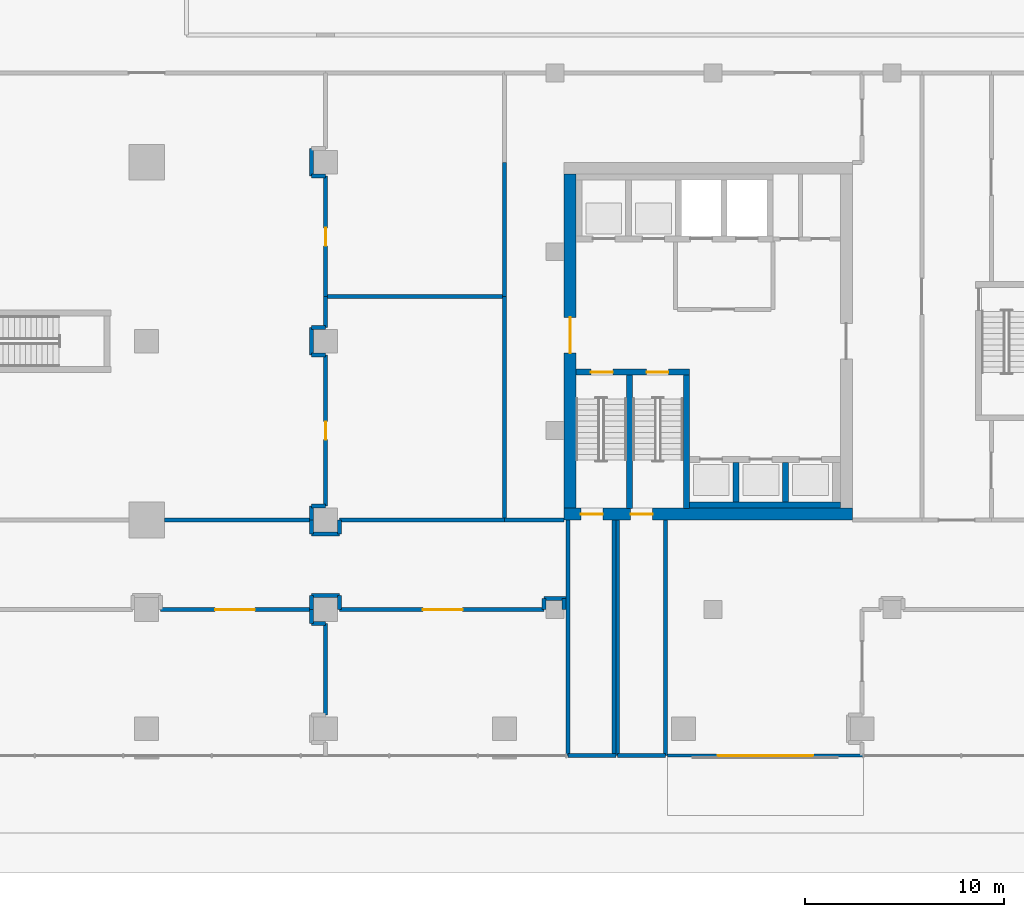
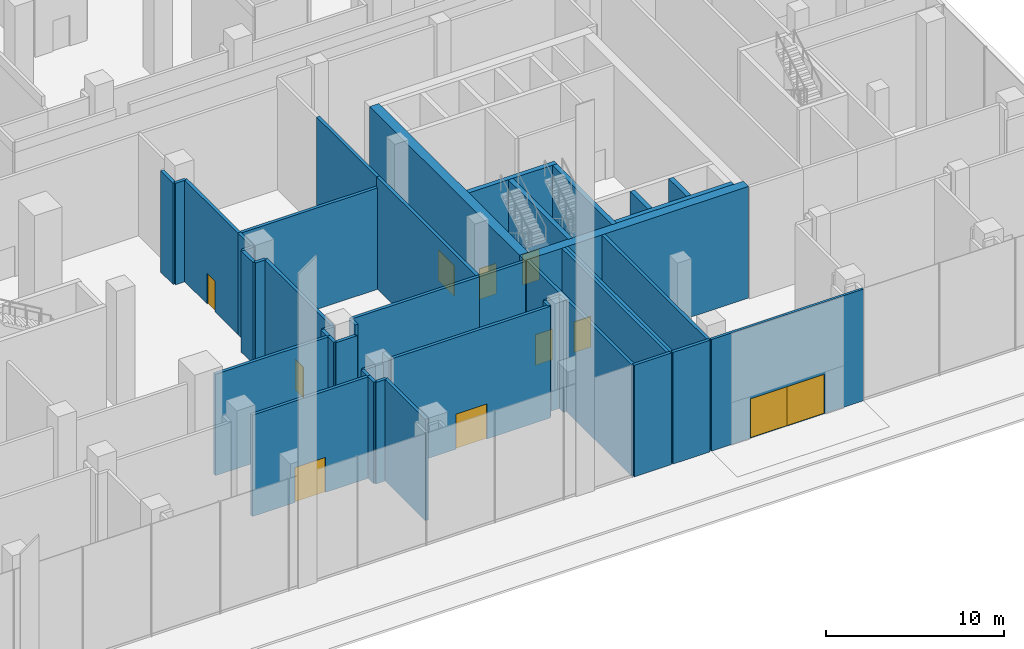
# One storey, part 21 of 42: 45 walls, 11 doors, 11 openings.
"""IFC4 building model written with IfcOpenShell, lengths in metres."""

from ifc_helpers import new_model, si_unit, direction, frame, frame_2d, origin, place, context, subcontext, project, spatial, rectangle, extrude, material, layer, layer_set, type_object, element, fill, save


model = new_model("IFC4")

# Units and contexts
model_context = context("Model", 3, precision=1e-05, world=origin(), true_north=direction((0.0, 1.0)))
body_context = subcontext(model_context, "Body", "Model", "MODEL_VIEW")
ifc_project = project(units=[si_unit("LENGTHUNIT", "METRE"), si_unit("AREAUNIT", "SQUARE_METRE"), si_unit("VOLUMEUNIT", "CUBIC_METRE"), si_unit("PLANEANGLEUNIT", "RADIAN"), si_unit("MASSUNIT", "GRAM", prefix="KILO")], contexts=[model_context])

# Site, building, storey
site_placement = place(None, origin())
site = spatial("IfcSite", under=ifc_project, at=site_placement, CompositionType="ELEMENT")
building_placement = place(site_placement, origin())
building = spatial("IfcBuilding", under=site, at=building_placement, Name="Plateau Cross Towers", CompositionType="ELEMENT")
storey_placement = place(building_placement, origin())
storey = spatial("IfcBuildingStorey", under=building, at=storey_placement, Name="L00", CompositionType="ELEMENT", Elevation=0.0)

# Walls
ifc_material_1 = material(Name="Concrete block, plastered both sides", Category="concrete")
ifc_layer_1 = layer(ifc_material_1, 0.199951171875)
ifc_layer_set_1 = layer_set([ifc_layer_1], Name="Concrete block, plastered both sides")
wall_type_1 = type_object("IfcWallType", Name="Core partition 200", PredefinedType="PARTITIONING", material=ifc_layer_set_1)
for number, where, z_axis, x_axis, name in (
    (1, (75.199951171875, -11.85009765625, 0.0), (0.0, 0.0, 1.0), (0.0, 1.0, 0.0), "Core partition"),
    (2, (77.5, -11.85009765625, 0.0), (0.0, 0.0, 1.0), (0.0, 1.0, 0.0), "Core partition"),
):
    element("IfcWall", number, at=place(storey_placement, frame(where, z_axis=z_axis, x_axis=x_axis)), inside=storey, type_object=wall_type_1, Name=name, PredefinedType="PARTITIONING", context=body_context, shape_type="SweptSolid", body=[
        extrude(rectangle(XDim=11.85009765625, YDim=0.199951171875, at=frame_2d((5.925048828125, 0.0))), origin(), (0.0, 0.0, 1.0), 7.64990234375),
    ])
wall_1_placement = place(storey_placement, frame((75.199951171875, -11.85009765625, 0.0), z_axis=(0.0, 0.0, 1.0), x_axis=(1.0, 0.0, 0.0)))
element("IfcWall", 3, at=wall_1_placement, inside=storey, type_object=wall_type_1, Name="Core partition", PredefinedType="PARTITIONING", context=body_context, shape_type="SweptSolid", body=[
    extrude(rectangle(XDim=2.400146484375, YDim=0.199951171875, at=frame_2d((1.2001953125, 0.0))), origin(), (0.0, 0.0, 1.0), 7.64990234375),
])
for number, where, z_axis, x_axis, name in (
    (4, (77.699951171875, -11.85009765625, 0.0), (0.0, 0.0, 1.0), (0.0, 1.0, 0.0), "Core partition"),
    (5, (80.10009765625, -11.85009765625, 0.0), (0.0, 0.0, 1.0), (0.0, 1.0, 0.0), "Core partition"),
):
    element("IfcWall", number, at=place(storey_placement, frame(where, z_axis=z_axis, x_axis=x_axis)), inside=storey, type_object=wall_type_1, Name=name, PredefinedType="PARTITIONING", context=body_context, shape_type="SweptSolid", body=[
        extrude(rectangle(XDim=11.85009765625, YDim=0.199951171875, at=frame_2d((5.925048828125, 0.0))), origin(), (0.0, 0.0, 1.0), 7.64990234375),
    ])
wall_2_placement = place(storey_placement, frame((77.699951171875, -11.85009765625, 0.0), z_axis=(0.0, 0.0, 1.0), x_axis=(1.0, 0.0, 0.0)))
element("IfcWall", 6, at=wall_2_placement, inside=storey, type_object=wall_type_1, Name="Core partition", PredefinedType="PARTITIONING", context=body_context, shape_type="SweptSolid", body=[
    extrude(rectangle(XDim=2.400146484375, YDim=0.199951171875, at=frame_2d((1.2001953125, 0.0))), origin(), (0.0, 0.0, 1.0), 7.64990234375),
])

# Wall, openings, doors
ifc_material_2 = material(Name="Concrete C60/75", Category="concrete")
ifc_layer_2 = layer(ifc_material_2, 0.300048828125)
ifc_layer_set_2 = layer_set([ifc_layer_2], Name="Concrete C60/75")
wall_type_2 = type_object("IfcWallType", Name="Core shaft wall 300", PredefinedType="SHEAR", material=ifc_layer_set_2)
wall_3_placement = place(storey_placement, frame((75.60009765625, 7.449951171875, 0.0), z_axis=(0.0, 0.0, 1.0), x_axis=(1.0, 0.0, 0.0)))
wall_3 = element("IfcWall", 7, at=wall_3_placement, inside=storey, type_object=wall_type_2, Name="B-sb-stN@L00", PredefinedType="SHEAR", context=body_context, shape_type="SweptSolid", body=[
    extrude(rectangle(XDim=5.699951171875, YDim=0.300048828125, at=frame_2d((2.85009765625, 0.0))), origin(), (0.0, 0.0, 1.0), 7.64990234375),
])
opening_1_placement = place(wall_3_placement, frame((0.75, 0.0, 0.0)))
opening_1 = element("IfcOpeningElement", 8, at=opening_1_placement, cuts=wall_3, Name="Opening SD", PredefinedType="OPENING", context=body_context, shape_type="SweptSolid", body=[
    extrude(rectangle(XDim=1.10009765625, YDim=2.10009765625, at=frame_2d((0.550048828125, 1.050048828125))), frame((0.0, 0.159912109375, 0.0), z_axis=(0.0, -1.0, 0.0), x_axis=(1.0, 0.0, 0.0)), (0.0, 0.0, 1.0), 0.320068359375),
])
opening_2_placement = place(wall_3_placement, frame((3.550048828125, 0.0, 0.0)))
opening_2 = element("IfcOpeningElement", 9, at=opening_2_placement, cuts=wall_3, Name="Opening SD", PredefinedType="OPENING", context=body_context, shape_type="SweptSolid", body=[
    extrude(rectangle(XDim=1.10009765625, YDim=2.10009765625, at=frame_2d((0.550048828125, 1.050048828125))), frame((0.0, 0.159912109375, 0.0), z_axis=(0.0, -1.0, 0.0), x_axis=(1.0, 0.0, 0.0)), (0.0, 0.0, 1.0), 0.320068359375),
])
ifc_material_3 = material(Name="Steel, fire-resisting leaf", Category="steel")
door_type_1 = type_object("IfcDoorType", Name="Stair door 1100", OperationType="NOTDEFINED", PredefinedType="DOOR", material=ifc_material_3)
door_1_placement = place(opening_1_placement, origin())
door_1 = element("IfcDoor", 10, at=door_1_placement, inside=storey, type_object=door_type_1, Name="Stair door SD", OperationType="SINGLE_SWING_RIGHT", OverallHeight=2.10009765625, OverallWidth=1.10009765625, PredefinedType="DOOR", context=body_context, shape_type="SweptSolid", body=[
    extrude(rectangle(XDim=1.10009765625, YDim=2.10009765625, at=frame_2d((0.550048828125, 1.050048828125))), frame((0.0, 0.02490234375, 0.0), z_axis=(0.0, -1.0, 0.0), x_axis=(1.0, 0.0, 0.0)), (0.0, 0.0, 1.0), 0.050048828125),
])
fill(opening_1, door_1)
door_2_placement = place(opening_2_placement, origin())
door_2 = element("IfcDoor", 11, at=door_2_placement, inside=storey, type_object=door_type_1, Name="Stair door SD", OperationType="SINGLE_SWING_LEFT", OverallHeight=2.10009765625, OverallWidth=1.10009765625, PredefinedType="DOOR", context=body_context, shape_type="SweptSolid", body=[
    extrude(rectangle(XDim=1.10009765625, YDim=2.10009765625, at=frame_2d((0.550048828125, 1.050048828125))), frame((0.0, 0.02490234375, 0.0), z_axis=(0.0, -1.0, 0.0), x_axis=(1.0, 0.0, 0.0)), (0.0, 0.0, 1.0), 0.050048828125),
])
fill(opening_2, door_2)

# Walls
for number, where, z_axis, x_axis, name in (
    (12, (78.300048828125, 0.580078125, 0.0), (0.0, 0.0, 1.0), (0.0, 1.0, 0.0), "B-sb-st1@L00"),
    (13, (81.14990234375, 0.580078125, 0.0), (0.0, 0.0, 1.0), (0.0, 1.0, 0.0), "B-sb-st2@L00"),
):
    element("IfcWall", number, at=place(storey_placement, frame(where, z_axis=z_axis, x_axis=x_axis)), inside=storey, type_object=wall_type_2, Name=name, PredefinedType="SHEAR", context=body_context, shape_type="SweptSolid", body=[
        extrude(rectangle(XDim=6.719970703125, YDim=0.300048828125, at=frame_2d((3.35986328125, 0.0))), origin(), (0.0, 0.0, 1.0), 7.64990234375),
    ])
wall_4_placement = place(storey_placement, frame((81.300048828125, 0.75, 0.0), z_axis=(0.0, 0.0, 1.0), x_axis=(1.0, 0.0, 0.0)))
element("IfcWall", 14, at=wall_4_placement, inside=storey, type_object=wall_type_2, Name="B-sb-back@L00", PredefinedType="SHEAR", context=body_context, shape_type="SweptSolid", body=[
    extrude(rectangle(XDim=7.599853515625, YDim=0.300048828125, at=frame_2d((3.7998046875, 0.0))), origin(), (0.0, 0.0, 1.0), 7.64990234375),
])
for number, where, z_axis, x_axis, name in (
    (15, (83.64990234375, 0.89990234375, 0.0), (0.0, 0.0, 1.0), (0.0, 1.0, 0.0), "B-sb-v1@L00"),
    (16, (86.14990234375, 0.89990234375, 0.0), (0.0, 0.0, 1.0), (0.0, 1.0, 0.0), "B-sb-v2@L00"),
):
    element("IfcWall", number, at=place(storey_placement, frame(where, z_axis=z_axis, x_axis=x_axis)), inside=storey, type_object=wall_type_2, Name=name, PredefinedType="SHEAR", context=body_context, shape_type="SweptSolid", body=[
        extrude(rectangle(XDim=2.0, YDim=0.300048828125, at=frame_2d((1.0, 0.0))), origin(), (0.0, 0.0, 1.0), 7.64990234375),
    ])

# Wall, openings, doors
ifc_layer_3 = layer(ifc_material_2, 0.60009765625)
ifc_layer_set_3 = layer_set([ifc_layer_3], Name="Concrete C60/75")
wall_type_3 = type_object("IfcWallType", Name="Core shell wall 600", PredefinedType="SHEAR", material=ifc_layer_set_3)
wall_5_placement = place(storey_placement, frame((75.0, 0.300048828125, 0.0), z_axis=(0.0, 0.0, 1.0), x_axis=(1.0, 0.0, 0.0)))
wall_5 = element("IfcWall", 17, at=wall_5_placement, inside=storey, type_object=wall_type_3, Name="B-core-S@L00", PredefinedType="SHEAR", context=body_context, shape_type="SweptSolid", body=[
    extrude(rectangle(XDim=14.5, YDim=0.60009765625, at=frame_2d((7.25, 0.0))), origin(), (0.0, 0.0, 1.0), 7.64990234375),
])
opening_3_placement = place(wall_5_placement, frame((0.85009765625, 0.0, 0.0)))
opening_3 = element("IfcOpeningElement", 18, at=opening_3_placement, cuts=wall_5, Name="Opening XD", PredefinedType="OPENING", context=body_context, shape_type="SweptSolid", body=[
    extrude(rectangle(XDim=1.10009765625, YDim=2.10009765625, at=frame_2d((0.550048828125, 1.050048828125))), frame((0.0, 0.31005859375, 0.0), z_axis=(0.0, -1.0, 0.0), x_axis=(1.0, 0.0, 0.0)), (0.0, 0.0, 1.0), 0.6201171875),
])
opening_4_placement = place(wall_5_placement, frame((3.35009765625, 0.0, 0.0)))
opening_4 = element("IfcOpeningElement", 19, at=opening_4_placement, cuts=wall_5, Name="Opening XD", PredefinedType="OPENING", context=body_context, shape_type="SweptSolid", body=[
    extrude(rectangle(XDim=1.10009765625, YDim=2.10009765625, at=frame_2d((0.550048828125, 1.050048828125))), frame((0.0, 0.31005859375, 0.0), z_axis=(0.0, -1.0, 0.0), x_axis=(1.0, 0.0, 0.0)), (0.0, 0.0, 1.0), 0.6201171875),
])
door_type_2 = type_object("IfcDoorType", Name="Exit door 1100", OperationType="NOTDEFINED", PredefinedType="DOOR", material=ifc_material_3)
door_3_placement = place(opening_3_placement, origin())
door_3 = element("IfcDoor", 20, at=door_3_placement, inside=storey, type_object=door_type_2, Name="Exit door XD", OperationType="SINGLE_SWING_LEFT", OverallHeight=2.10009765625, OverallWidth=1.10009765625, PredefinedType="DOOR", context=body_context, shape_type="SweptSolid", body=[
    extrude(rectangle(XDim=1.10009765625, YDim=2.10009765625, at=frame_2d((0.550048828125, 1.050048828125))), frame((0.0, 0.02490234375, 0.0), z_axis=(0.0, -1.0, 0.0), x_axis=(1.0, 0.0, 0.0)), (0.0, 0.0, 1.0), 0.050048828125),
])
fill(opening_3, door_3)
door_4_placement = place(opening_4_placement, origin())
door_4 = element("IfcDoor", 21, at=door_4_placement, inside=storey, type_object=door_type_2, Name="Exit door XD", OperationType="SINGLE_SWING_LEFT", OverallHeight=2.10009765625, OverallWidth=1.10009765625, PredefinedType="DOOR", context=body_context, shape_type="SweptSolid", body=[
    extrude(rectangle(XDim=1.10009765625, YDim=2.10009765625, at=frame_2d((0.550048828125, 1.050048828125))), frame((0.0, 0.02490234375, 0.0), z_axis=(0.0, -1.0, 0.0), x_axis=(1.0, 0.0, 0.0)), (0.0, 0.0, 1.0), 0.050048828125),
])
fill(opening_4, door_4)

# Wall, opening, door
wall_6_placement = place(storey_placement, frame((75.300048828125, 0.60009765625, 0.0), z_axis=(0.0, 0.0, 1.0), x_axis=(0.0, 1.0, 0.0)))
wall_6 = element("IfcWall", 22, at=wall_6_placement, inside=storey, type_object=wall_type_3, Name="B-core-W@L00", PredefinedType="SHEAR", context=body_context, shape_type="SweptSolid", body=[
    extrude(rectangle(XDim=16.7998046875, YDim=0.60009765625, at=frame_2d((8.39990234375, 0.0))), origin(), (0.0, 0.0, 1.0), 7.64990234375),
])
opening_5_placement = place(wall_6_placement, frame((7.800048828125, 0.0, 0.0)))
opening_5 = element("IfcOpeningElement", 23, at=opening_5_placement, cuts=wall_6, Name="Opening CD", PredefinedType="OPENING", context=body_context, shape_type="SweptSolid", body=[
    extrude(rectangle(XDim=1.800048828125, YDim=2.10009765625, at=frame_2d((0.89990234375, 1.050048828125))), frame((0.0, 0.31005859375, 0.0), z_axis=(0.0, -1.0, 0.0), x_axis=(1.0, 0.0, 0.0)), (0.0, 0.0, 1.0), 0.6201171875),
])
ifc_material_4 = material(Name="Steel, fire-resisting leaves", Category="steel")
door_type_3 = type_object("IfcDoorType", Name="Corridor door pair 1800", OperationType="NOTDEFINED", PredefinedType="DOOR", material=ifc_material_4)
door_5_placement = place(opening_5_placement, origin())
door_5 = element("IfcDoor", 24, at=door_5_placement, inside=storey, type_object=door_type_3, Name="Corridor door pair CD", OperationType="DOUBLE_DOOR_SINGLE_SWING", OverallHeight=2.10009765625, OverallWidth=1.800048828125, PredefinedType="DOOR", context=body_context, shape_type="SweptSolid", body=[
    extrude(rectangle(XDim=1.800048828125, YDim=2.10009765625, at=frame_2d((0.89990234375, 1.050048828125))), frame((0.0, 0.02490234375, 0.0), z_axis=(0.0, -1.0, 0.0), x_axis=(1.0, 0.0, 0.0)), (0.0, 0.0, 1.0), 0.050048828125),
])
fill(opening_5, door_5)

# Wall, openings, doors
ifc_material_5 = material(Name="Aluminium framed glazing", Category="aluminium")
ifc_layer_4 = layer(ifc_material_5, 0.159912109375)
ifc_layer_set_4 = layer_set([ifc_layer_4], Name="Aluminium framed glazing")
wall_type_4 = type_object("IfcWallType", Name="Entrance screen wall 160", PredefinedType="STANDARD", material=ifc_layer_set_4)
wall_7_placement = place(storey_placement, frame((90.06005859375, -11.85009765625, 0.0), z_axis=(0.0, 0.0, 1.0), x_axis=(-1.0, 0.0, 0.0)))
wall_7 = element("IfcWall", 25, at=wall_7_placement, inside=storey, type_object=wall_type_4, Name="Lobby lobby-B screen wall", PredefinedType="STANDARD", context=body_context, shape_type="SweptSolid", body=[
    extrude(rectangle(XDim=9.860107421875, YDim=0.159912109375, at=frame_2d((4.93017578125, 0.0))), origin(), (0.0, 0.0, 1.0), 7.64990234375),
])
opening_6_placement = place(wall_7_placement, frame((2.530029296875, 0.0, 0.0)))
opening_6 = element("IfcOpeningElement", 26, at=opening_6_placement, cuts=wall_7, Name="Opening XD2", PredefinedType="OPENING", context=body_context, shape_type="SweptSolid", body=[
    extrude(rectangle(XDim=2.39990234375, YDim=2.699951171875, at=frame_2d((1.199951171875, 1.35009765625))), frame((0.0, 0.08984375, 0.0), z_axis=(0.0, -1.0, 0.0), x_axis=(1.0, 0.0, 0.0)), (0.0, 0.0, 1.0), 0.179931640625),
])
opening_7_placement = place(wall_7_placement, frame((4.929931640625, 0.0, 0.0)))
opening_7 = element("IfcOpeningElement", 27, at=opening_7_placement, cuts=wall_7, Name="Opening XD2", PredefinedType="OPENING", context=body_context, shape_type="SweptSolid", body=[
    extrude(rectangle(XDim=2.39990234375, YDim=2.699951171875, at=frame_2d((1.199951171875, 1.35009765625))), frame((0.0, 0.08984375, 0.0), z_axis=(0.0, -1.0, 0.0), x_axis=(1.0, 0.0, 0.0)), (0.0, 0.0, 1.0), 0.179931640625),
])
door_type_4 = type_object("IfcDoorType", Name="Entrance door double leaf 2400x2700", OperationType="DOUBLE_DOOR_SINGLE_SWING", PredefinedType="DOOR", material=ifc_material_5)
door_6_placement = place(opening_6_placement, origin())
door_6 = element("IfcDoor", 28, at=door_6_placement, inside=storey, type_object=door_type_4, Name="Lobby lobby-B door 1", OperationType="SINGLE_SWING_LEFT", OverallHeight=2.699951171875, OverallWidth=2.39990234375, PredefinedType="DOOR", context=body_context, shape_type="SweptSolid", body=[
    extrude(rectangle(XDim=2.39990234375, YDim=2.699951171875, at=frame_2d((1.199951171875, 1.35009765625))), frame((0.0, 0.02490234375, 0.0), z_axis=(0.0, -1.0, 0.0), x_axis=(1.0, 0.0, 0.0)), (0.0, 0.0, 1.0), 0.050048828125),
])
fill(opening_6, door_6)
door_7_placement = place(opening_7_placement, origin())
door_7 = element("IfcDoor", 29, at=door_7_placement, inside=storey, type_object=door_type_4, Name="Lobby lobby-B door 2", OperationType="SINGLE_SWING_LEFT", OverallHeight=2.699951171875, OverallWidth=2.39990234375, PredefinedType="DOOR", context=body_context, shape_type="SweptSolid", body=[
    extrude(rectangle(XDim=2.39990234375, YDim=2.699951171875, at=frame_2d((1.199951171875, 1.35009765625))), frame((0.0, 0.02490234375, 0.0), z_axis=(0.0, -1.0, 0.0), x_axis=(1.0, 0.0, 0.0)), (0.0, 0.0, 1.0), 0.050048828125),
])
fill(opening_7, door_7)

# Wall, opening, door
ifc_material_6 = material(Name="Gypsum board on steel studs, two layers each side", Category="steel")
ifc_layer_5 = layer(ifc_material_6, 0.199951171875)
ifc_layer_set_5 = layer_set([ifc_layer_5], Name="Gypsum board on steel studs, two layers each side")
wall_type_5 = type_object("IfcWallType", Name="Podium compartment wall 200", PredefinedType="PARTITIONING", material=ifc_layer_set_5)
wall_8_placement = place(storey_placement, frame((63.0, 17.300048828125, 0.0), z_axis=(0.0, 0.0, 1.0), x_axis=(0.0, -1.0, 0.0)))
wall_8 = element("IfcWall", 30, at=wall_8_placement, inside=storey, type_object=wall_type_5, Name="Partition wall", PredefinedType="PARTITIONING", context=body_context, shape_type="SweptSolid", body=[
    extrude(rectangle(XDim=6.050048828125, YDim=0.199951171875, at=frame_2d((3.02490234375, 0.0))), origin(), (0.0, 0.0, 1.0), 6.949951171875),
])
opening_8_placement = place(wall_8_placement, frame((2.60009765625, 0.0, 0.0)))
opening_8 = element("IfcOpeningElement", 31, at=opening_8_placement, cuts=wall_8, Name="Opening 00-21", PredefinedType="OPENING", context=body_context, shape_type="SweptSolid", body=[
    extrude(rectangle(XDim=0.89990234375, YDim=2.10009765625, at=frame_2d((0.449951171875, 1.050048828125))), frame((0.0, 0.10986328125, 0.0), z_axis=(0.0, -1.0, 0.0), x_axis=(1.0, 0.0, 0.0)), (0.0, 0.0, 1.0), 0.219970703125),
])
ifc_material_7 = material(Name="Timber, fire-resisting leaf", Category="wood")
door_type_5 = type_object("IfcDoorType", Name="Podium service door 900", OperationType="NOTDEFINED", PredefinedType="DOOR", material=ifc_material_7)
door_8_placement = place(opening_8_placement, origin())
door_8 = element("IfcDoor", 32, at=door_8_placement, inside=storey, type_object=door_type_5, Name="Door 00-21", OperationType="SINGLE_SWING_LEFT", OverallHeight=2.10009765625, OverallWidth=0.89990234375, PredefinedType="DOOR", context=body_context, shape_type="SweptSolid", body=[
    extrude(rectangle(XDim=0.89990234375, YDim=2.10009765625, at=frame_2d((0.449951171875, 1.050048828125))), frame((0.0, 0.02490234375, 0.0), z_axis=(0.0, -1.0, 0.0), x_axis=(1.0, 0.0, 0.0)), (0.0, 0.0, 1.0), 0.050048828125),
])
fill(opening_8, door_8)

ifc_material_8 = material(Name="Gypsum board on steel studs", Category="steel")
ifc_layer_6 = layer(ifc_material_8, 0.199951171875)
ifc_layer_set_6 = layer_set([ifc_layer_6], Name="Gypsum board on steel studs")
wall_type_6 = type_object("IfcWallType", Name="Podium partition 200", PredefinedType="PARTITIONING", material=ifc_layer_set_6)
wall_9_placement = place(storey_placement, frame((62.300048828125, -4.5, 0.0), z_axis=(0.0, 0.0, 1.0), x_axis=(-1.0, 0.0, 0.0)))
wall_9 = element("IfcWall", 33, at=wall_9_placement, inside=storey, type_object=wall_type_6, Name="Partition wall", PredefinedType="PARTITIONING", context=body_context, shape_type="SweptSolid", body=[
    extrude(rectangle(XDim=7.60009765625, YDim=0.199951171875, at=frame_2d((3.800048828125, 0.0))), origin(), (0.0, 0.0, 1.0), 6.949951171875),
])
opening_9_placement = place(wall_9_placement, frame((2.85009765625, 0.0, 0.0)))
opening_9 = element("IfcOpeningElement", 34, at=opening_9_placement, cuts=wall_9, Name="Opening 00-16", PredefinedType="OPENING", context=body_context, shape_type="SweptSolid", body=[
    extrude(rectangle(XDim=2.0, YDim=2.39990234375, at=frame_2d((1.0, 1.199951171875))), frame((0.0, 0.10986328125, 0.0), z_axis=(0.0, -1.0, 0.0), x_axis=(1.0, 0.0, 0.0)), (0.0, 0.0, 1.0), 0.219970703125),
])
ifc_material_9 = material(Name="Aluminium frame, toughened glass", Category="aluminium")
door_type_6 = type_object("IfcDoorType", Name="Shop entrance double door 2000x2400", OperationType="NOTDEFINED", PredefinedType="DOOR", material=ifc_material_9)
door_9_placement = place(opening_9_placement, origin())
door_9 = element("IfcDoor", 35, at=door_9_placement, inside=storey, type_object=door_type_6, Name="Door 00-16", OperationType="SINGLE_SWING_LEFT", OverallHeight=2.39990234375, OverallWidth=2.0, PredefinedType="DOOR", context=body_context, shape_type="SweptSolid", body=[
    extrude(rectangle(XDim=2.0, YDim=2.39990234375, at=frame_2d((1.0, 1.199951171875))), frame((0.0, 0.02490234375, 0.0), z_axis=(0.0, -1.0, 0.0), x_axis=(1.0, 0.0, 0.0)), (0.0, 0.0, 1.0), 0.050048828125),
])
fill(opening_9, door_9)

# Walls
wall_10_placement = place(storey_placement, frame((54.89990234375, 0.0, 0.0), z_axis=(0.0, 0.0, 1.0), x_axis=(1.0, 0.0, 0.0)))
element("IfcWall", 36, at=wall_10_placement, inside=storey, type_object=wall_type_6, Name="Partition wall", PredefinedType="PARTITIONING", context=body_context, shape_type="SweptSolid", body=[
    extrude(rectangle(XDim=7.400146484375, YDim=0.199951171875, at=frame_2d((3.7001953125, 0.0))), origin(), (0.0, 0.0, 1.0), 6.949951171875),
])
wall_11_placement = place(storey_placement, frame((75.0, -4.5, 0.0), z_axis=(0.0, 0.0, 1.0), x_axis=(0.0, 1.0, 0.0)))
element("IfcWall", 37, at=wall_11_placement, inside=storey, type_object=wall_type_6, Name="Partition wall", PredefinedType="PARTITIONING", context=body_context, shape_type="SweptSolid", body=[
    extrude(rectangle(XDim=0.550048828125, YDim=0.199951171875, at=frame_2d((0.27490234375, 0.0))), origin(), (0.0, 0.0, 1.0), 7.64990234375),
])
wall_12_placement = place(storey_placement, frame((75.10009765625, -3.949951171875, 0.0), z_axis=(0.0, 0.0, 1.0), x_axis=(-1.0, 0.0, 0.0)))
element("IfcWall", 38, at=wall_12_placement, inside=storey, type_object=wall_type_6, Name="Partition wall", PredefinedType="PARTITIONING", context=body_context, shape_type="SweptSolid", body=[
    extrude(rectangle(XDim=1.10009765625, YDim=0.199951171875, at=frame_2d((0.550048828125, 0.0))), origin(), (0.0, 0.0, 1.0), 7.64990234375),
])
wall_13_placement = place(storey_placement, frame((74.0, -3.949951171875, 0.0), z_axis=(0.0, 0.0, 1.0), x_axis=(0.0, -1.0, 0.0)))
element("IfcWall", 39, at=wall_13_placement, inside=storey, type_object=wall_type_6, Name="Partition wall", PredefinedType="PARTITIONING", context=body_context, shape_type="SweptSolid", body=[
    extrude(rectangle(XDim=0.550048828125, YDim=0.199951171875, at=frame_2d((0.27490234375, 0.0))), origin(), (0.0, 0.0, 1.0), 7.64990234375),
])

# Wall, opening, door
wall_14_placement = place(storey_placement, frame((74.0, -4.5, 0.0), z_axis=(0.0, 0.0, 1.0), x_axis=(-1.0, 0.0, 0.0)))
wall_14 = element("IfcWall", 40, at=wall_14_placement, inside=storey, type_object=wall_type_6, Name="Partition wall", PredefinedType="PARTITIONING", context=body_context, shape_type="SweptSolid", body=[
    extrude(rectangle(XDim=10.300048828125, YDim=0.199951171875, at=frame_2d((5.14990234375, 0.0))), origin(), (0.0, 0.0, 1.0), 7.64990234375),
])
opening_10_placement = place(wall_14_placement, frame((4.10009765625, 0.0, 0.0)))
opening_10 = element("IfcOpeningElement", 41, at=opening_10_placement, cuts=wall_14, Name="Opening 00-17", PredefinedType="OPENING", context=body_context, shape_type="SweptSolid", body=[
    extrude(rectangle(XDim=2.0, YDim=2.39990234375, at=frame_2d((1.0, 1.199951171875))), frame((0.0, 0.10986328125, 0.0), z_axis=(0.0, -1.0, 0.0), x_axis=(1.0, 0.0, 0.0)), (0.0, 0.0, 1.0), 0.219970703125),
])
door_10_placement = place(opening_10_placement, origin())
door_10 = element("IfcDoor", 42, at=door_10_placement, inside=storey, type_object=door_type_6, Name="Door 00-17", OperationType="SINGLE_SWING_LEFT", OverallHeight=2.39990234375, OverallWidth=2.0, PredefinedType="DOOR", context=body_context, shape_type="SweptSolid", body=[
    extrude(rectangle(XDim=2.0, YDim=2.39990234375, at=frame_2d((1.0, 1.199951171875))), frame((0.0, 0.02490234375, 0.0), z_axis=(0.0, -1.0, 0.0), x_axis=(1.0, 0.0, 0.0)), (0.0, 0.0, 1.0), 0.050048828125),
])
fill(opening_10, door_10)

# Walls
wall_15_placement = place(storey_placement, frame((63.699951171875, -4.5, 0.0), z_axis=(0.0, 0.0, 1.0), x_axis=(0.0, 1.0, 0.0)))
element("IfcWall", 43, at=wall_15_placement, inside=storey, type_object=wall_type_6, Name="Partition wall", PredefinedType="PARTITIONING", context=body_context, shape_type="SweptSolid", body=[
    extrude(rectangle(XDim=0.699951171875, YDim=0.199951171875, at=frame_2d((0.35009765625, 0.0))), origin(), (0.0, 0.0, 1.0), 7.64990234375),
])
wall_16_placement = place(storey_placement, frame((63.699951171875, -3.800048828125, 0.0), z_axis=(0.0, 0.0, 1.0), x_axis=(-1.0, 0.0, 0.0)))
element("IfcWall", 44, at=wall_16_placement, inside=storey, type_object=wall_type_6, Name="Partition wall", PredefinedType="PARTITIONING", context=body_context, shape_type="SweptSolid", body=[
    extrude(rectangle(XDim=1.39990234375, YDim=0.199951171875, at=frame_2d((0.699951171875, 0.0))), origin(), (0.0, 0.0, 1.0), 6.949951171875),
])
wall_17_placement = place(storey_placement, frame((62.300048828125, -3.800048828125, 0.0), z_axis=(0.0, 0.0, 1.0), x_axis=(0.0, -1.0, 0.0)))
element("IfcWall", 45, at=wall_17_placement, inside=storey, type_object=wall_type_6, Name="Partition wall", PredefinedType="PARTITIONING", context=body_context, shape_type="SweptSolid", body=[
    extrude(rectangle(XDim=0.699951171875, YDim=0.199951171875, at=frame_2d((0.35009765625, 0.0))), origin(), (0.0, 0.0, 1.0), 6.949951171875),
])
wall_18_placement = place(storey_placement, frame((63.0, 11.25, 0.0), z_axis=(0.0, 0.0, 1.0), x_axis=(0.0, -1.0, 0.0)))
element("IfcWall", 46, at=wall_18_placement, inside=storey, type_object=wall_type_6, Name="Partition wall", PredefinedType="PARTITIONING", context=body_context, shape_type="SweptSolid", body=[
    extrude(rectangle(XDim=1.550048828125, YDim=0.199951171875, at=frame_2d((0.77490234375, 0.0))), origin(), (0.0, 0.0, 1.0), 6.949951171875),
])
wall_19_placement = place(storey_placement, frame((63.0, 9.699951171875, 0.0), z_axis=(0.0, 0.0, 1.0), x_axis=(-1.0, 0.0, 0.0)))
element("IfcWall", 47, at=wall_19_placement, inside=storey, type_object=wall_type_6, Name="Partition wall", PredefinedType="PARTITIONING", context=body_context, shape_type="SweptSolid", body=[
    extrude(rectangle(XDim=0.699951171875, YDim=0.199951171875, at=frame_2d((0.35009765625, 0.0))), origin(), (0.0, 0.0, 1.0), 6.949951171875),
])
wall_20_placement = place(storey_placement, frame((62.300048828125, 9.699951171875, 0.0), z_axis=(0.0, 0.0, 1.0), x_axis=(0.0, -1.0, 0.0)))
element("IfcWall", 48, at=wall_20_placement, inside=storey, type_object=wall_type_6, Name="Partition wall", PredefinedType="PARTITIONING", context=body_context, shape_type="SweptSolid", body=[
    extrude(rectangle(XDim=1.39990234375, YDim=0.199951171875, at=frame_2d((0.699951171875, 0.0))), origin(), (0.0, 0.0, 1.0), 6.949951171875),
])
wall_21_placement = place(storey_placement, frame((62.300048828125, 8.300048828125, 0.0), z_axis=(0.0, 0.0, 1.0), x_axis=(1.0, 0.0, 0.0)))
element("IfcWall", 49, at=wall_21_placement, inside=storey, type_object=wall_type_6, Name="Partition wall", PredefinedType="PARTITIONING", context=body_context, shape_type="SweptSolid", body=[
    extrude(rectangle(XDim=0.699951171875, YDim=0.199951171875, at=frame_2d((0.35009765625, 0.0))), origin(), (0.0, 0.0, 1.0), 6.949951171875),
])

# Wall, opening, door
wall_22_placement = place(storey_placement, frame((63.0, 8.300048828125, 0.0), z_axis=(0.0, 0.0, 1.0), x_axis=(0.0, -1.0, 0.0)))
wall_22 = element("IfcWall", 50, at=wall_22_placement, inside=storey, type_object=wall_type_6, Name="Partition wall", PredefinedType="PARTITIONING", context=body_context, shape_type="SweptSolid", body=[
    extrude(rectangle(XDim=7.60009765625, YDim=0.199951171875, at=frame_2d((3.800048828125, 0.0))), origin(), (0.0, 0.0, 1.0), 6.949951171875),
])
opening_11_placement = place(wall_22_placement, frame((3.35009765625, 0.0, 0.0)))
opening_11 = element("IfcOpeningElement", 51, at=opening_11_placement, cuts=wall_22, Name="Opening 00-20", PredefinedType="OPENING", context=body_context, shape_type="SweptSolid", body=[
    extrude(rectangle(XDim=0.89990234375, YDim=2.10009765625, at=frame_2d((0.449951171875, 1.050048828125))), frame((0.0, 0.10986328125, 0.0), z_axis=(0.0, -1.0, 0.0), x_axis=(1.0, 0.0, 0.0)), (0.0, 0.0, 1.0), 0.219970703125),
])
ifc_material_10 = material(Name="Timber leaf", Category="wood")
door_type_7 = type_object("IfcDoorType", Name="Podium room door 900", OperationType="NOTDEFINED", PredefinedType="DOOR", material=ifc_material_10)
door_11_placement = place(opening_11_placement, origin())
door_11 = element("IfcDoor", 52, at=door_11_placement, inside=storey, type_object=door_type_7, Name="Door 00-20", OperationType="SINGLE_SWING_LEFT", OverallHeight=2.10009765625, OverallWidth=0.89990234375, PredefinedType="DOOR", context=body_context, shape_type="SweptSolid", body=[
    extrude(rectangle(XDim=0.89990234375, YDim=2.10009765625, at=frame_2d((0.449951171875, 1.050048828125))), frame((0.0, 0.02490234375, 0.0), z_axis=(0.0, -1.0, 0.0), x_axis=(1.0, 0.0, 0.0)), (0.0, 0.0, 1.0), 0.050048828125),
])
fill(opening_11, door_11)

# Walls
for number, where, z_axis, x_axis, name in (
    (53, (63.0, 0.699951171875, 0.0), (0.0, 0.0, 1.0), (-1.0, 0.0, 0.0), "Partition wall"),
    (54, (62.300048828125, 0.699951171875, 0.0), (0.0, 0.0, 1.0), (0.0, -1.0, 0.0), "Partition wall"),
):
    element("IfcWall", number, at=place(storey_placement, frame(where, z_axis=z_axis, x_axis=x_axis)), inside=storey, type_object=wall_type_6, Name=name, PredefinedType="PARTITIONING", context=body_context, shape_type="SweptSolid", body=[
        extrude(rectangle(XDim=0.699951171875, YDim=0.199951171875, at=frame_2d((0.35009765625, 0.0))), origin(), (0.0, 0.0, 1.0), 6.949951171875),
    ])
wall_23_placement = place(storey_placement, frame((62.300048828125, 18.699951171875, 0.0), z_axis=(0.0, 0.0, 1.0), x_axis=(0.0, -1.0, 0.0)))
element("IfcWall", 55, at=wall_23_placement, inside=storey, type_object=wall_type_6, Name="Partition wall", PredefinedType="PARTITIONING", context=body_context, shape_type="SweptSolid", body=[
    extrude(rectangle(XDim=1.39990234375, YDim=0.199951171875, at=frame_2d((0.699951171875, 0.0))), origin(), (0.0, 0.0, 1.0), 6.949951171875),
])
wall_24_placement = place(storey_placement, frame((62.300048828125, 17.300048828125, 0.0), z_axis=(0.0, 0.0, 1.0), x_axis=(1.0, 0.0, 0.0)))
element("IfcWall", 56, at=wall_24_placement, inside=storey, type_object=wall_type_6, Name="Partition wall", PredefinedType="PARTITIONING", context=body_context, shape_type="SweptSolid", body=[
    extrude(rectangle(XDim=0.699951171875, YDim=0.199951171875, at=frame_2d((0.35009765625, 0.0))), origin(), (0.0, 0.0, 1.0), 6.949951171875),
])
wall_25_placement = place(storey_placement, frame((72.0, 11.25, 0.0), z_axis=(0.0, 0.0, 1.0), x_axis=(0.0, 1.0, 0.0)))
element("IfcWall", 57, at=wall_25_placement, inside=storey, type_object=wall_type_6, Name="Partition wall", PredefinedType="PARTITIONING", context=body_context, shape_type="SweptSolid", body=[
    extrude(rectangle(XDim=6.75, YDim=0.199951171875, at=frame_2d((3.375, 0.0))), origin(), (0.0, 0.0, 1.0), 7.64990234375),
])
wall_26_placement = place(storey_placement, frame((72.0, 0.0, 0.0), z_axis=(0.0, 0.0, 1.0), x_axis=(0.0, 1.0, 0.0)))
element("IfcWall", 58, at=wall_26_placement, inside=storey, type_object=wall_type_6, Name="Partition wall", PredefinedType="PARTITIONING", context=body_context, shape_type="SweptSolid", body=[
    extrude(rectangle(XDim=11.25, YDim=0.199951171875, at=frame_2d((5.625, 0.0))), origin(), (0.0, 0.0, 1.0), 7.64990234375),
])
wall_27_placement = place(storey_placement, frame((62.300048828125, 0.0, 0.0), z_axis=(0.0, 0.0, 1.0), x_axis=(0.0, -1.0, 0.0)))
element("IfcWall", 59, at=wall_27_placement, inside=storey, type_object=wall_type_6, Name="Partition wall", PredefinedType="PARTITIONING", context=body_context, shape_type="SweptSolid", body=[
    extrude(rectangle(XDim=0.699951171875, YDim=0.199951171875, at=frame_2d((0.35009765625, 0.0))), origin(), (0.0, 0.0, 1.0), 6.949951171875),
])
wall_28_placement = place(storey_placement, frame((62.300048828125, -0.699951171875, 0.0), z_axis=(0.0, 0.0, 1.0), x_axis=(1.0, 0.0, 0.0)))
element("IfcWall", 60, at=wall_28_placement, inside=storey, type_object=wall_type_6, Name="Partition wall", PredefinedType="PARTITIONING", context=body_context, shape_type="SweptSolid", body=[
    extrude(rectangle(XDim=1.39990234375, YDim=0.199951171875, at=frame_2d((0.699951171875, 0.0))), origin(), (0.0, 0.0, 1.0), 6.949951171875),
])
wall_29_placement = place(storey_placement, frame((63.699951171875, -0.699951171875, 0.0), z_axis=(0.0, 0.0, 1.0), x_axis=(0.0, 1.0, 0.0)))
element("IfcWall", 61, at=wall_29_placement, inside=storey, type_object=wall_type_6, Name="Partition wall", PredefinedType="PARTITIONING", context=body_context, shape_type="SweptSolid", body=[
    extrude(rectangle(XDim=0.699951171875, YDim=0.199951171875, at=frame_2d((0.35009765625, 0.0))), origin(), (0.0, 0.0, 1.0), 7.64990234375),
])
wall_30_placement = place(storey_placement, frame((63.699951171875, 0.0, 0.0), z_axis=(0.0, 0.0, 1.0), x_axis=(1.0, 0.0, 0.0)))
element("IfcWall", 62, at=wall_30_placement, inside=storey, type_object=wall_type_6, Name="Partition wall", PredefinedType="PARTITIONING", context=body_context, shape_type="SweptSolid", body=[
    extrude(rectangle(XDim=8.300048828125, YDim=0.199951171875, at=frame_2d((4.14990234375, 0.0))), origin(), (0.0, 0.0, 1.0), 7.64990234375),
])
for number, where, z_axis, x_axis, name in (
    (63, (62.300048828125, -4.5, 0.0), (0.0, 0.0, 1.0), (0.0, -1.0, 0.0), "Partition wall"),
    (64, (62.300048828125, -5.199951171875, 0.0), (0.0, 0.0, 1.0), (1.0, 0.0, 0.0), "Partition wall"),
):
    element("IfcWall", number, at=place(storey_placement, frame(where, z_axis=z_axis, x_axis=x_axis)), inside=storey, type_object=wall_type_6, Name=name, PredefinedType="PARTITIONING", context=body_context, shape_type="SweptSolid", body=[
        extrude(rectangle(XDim=0.699951171875, YDim=0.199951171875, at=frame_2d((0.35009765625, 0.0))), origin(), (0.0, 0.0, 1.0), 6.949951171875),
    ])
wall_31_placement = place(storey_placement, frame((63.0, -5.199951171875, 0.0), z_axis=(0.0, 0.0, 1.0), x_axis=(0.0, -1.0, 0.0)))
element("IfcWall", 65, at=wall_31_placement, inside=storey, type_object=wall_type_6, Name="Partition wall", PredefinedType="PARTITIONING", context=body_context, shape_type="SweptSolid", body=[
    extrude(rectangle(XDim=4.60009765625, YDim=0.199951171875, at=frame_2d((2.300048828125, 0.0))), origin(), (0.0, 0.0, 1.0), 6.949951171875),
])
wall_32_placement = place(storey_placement, frame((63.10009765625, 11.25, 0.0), z_axis=(0.0, 0.0, 1.0), x_axis=(1.0, 0.0, 0.0)))
element("IfcWall", 66, at=wall_32_placement, inside=storey, type_object=wall_type_6, Name="Partition wall", PredefinedType="PARTITIONING", context=body_context, shape_type="SweptSolid", body=[
    extrude(rectangle(XDim=8.7998046875, YDim=0.199951171875, at=frame_2d((4.39990234375, 0.0))), origin(), (0.0, 0.0, 1.0), 6.949951171875),
])
wall_33_placement = place(storey_placement, frame((72.0, 0.0, 0.0), z_axis=(0.0, 0.0, 1.0), x_axis=(1.0, 0.0, 0.0)))
element("IfcWall", 67, at=wall_33_placement, inside=storey, type_object=wall_type_6, Name="Partition wall", PredefinedType="PARTITIONING", context=body_context, shape_type="SweptSolid", body=[
    extrude(rectangle(XDim=3.0, YDim=0.199951171875, at=frame_2d((1.5, 0.0))), origin(), (0.0, 0.0, 1.0), 7.64990234375),
])

save(model, "model.ifc")
